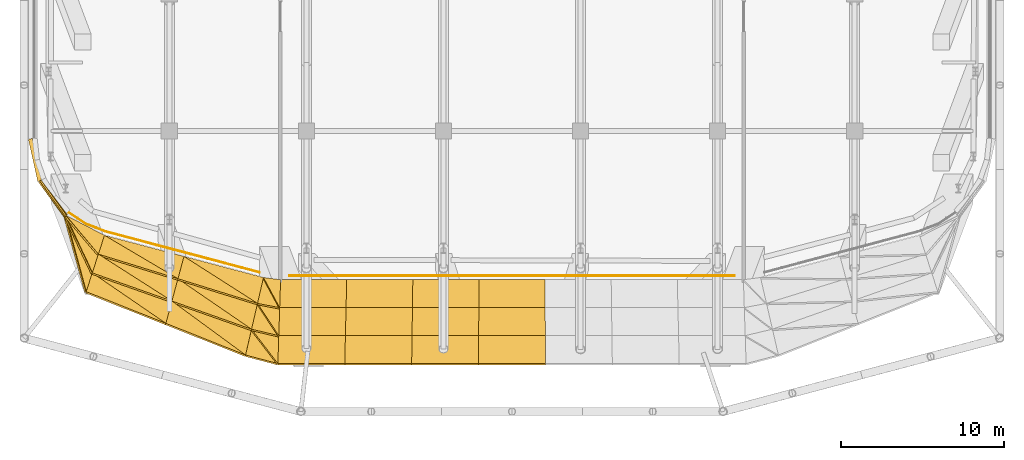
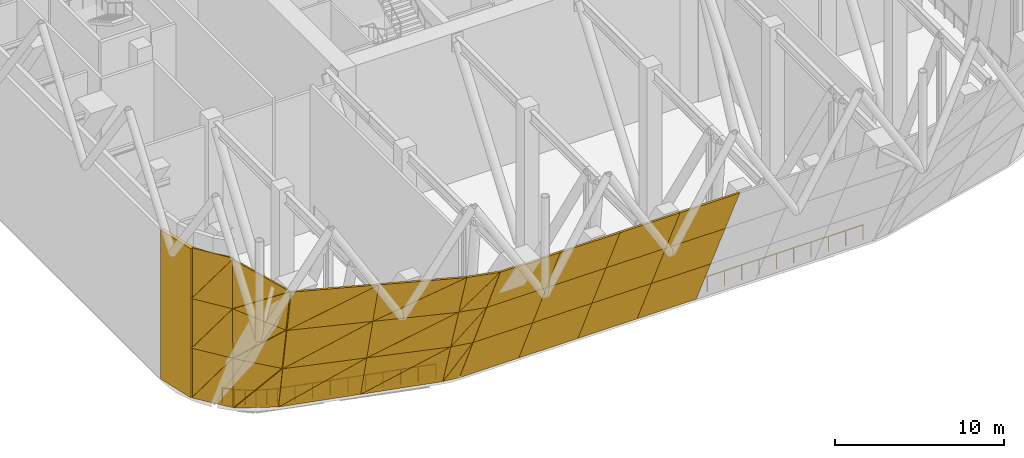
# One storey, part 14 of 19: 43 shading devices, 2 railings.
"""IFC4 building model written with IfcOpenShell, lengths in metres."""

from ifc_helpers import new_model, si_unit, direction, frame, frame_2d, origin, origin_2d, place, context, subcontext, project, spatial, polyline, rectangle, circle, outline, extrude, material, layer, layer_set, type_object, element, save


model = new_model("IFC4")

# Units and contexts
model_context = context("Model", 3, precision=1e-05, world=origin(), true_north=direction((0.0, 1.0)))
body_context = subcontext(model_context, "Body", "Model", "MODEL_VIEW")
ifc_project = project(units=[si_unit("LENGTHUNIT", "METRE"), si_unit("AREAUNIT", "SQUARE_METRE"), si_unit("VOLUMEUNIT", "CUBIC_METRE"), si_unit("PLANEANGLEUNIT", "RADIAN"), si_unit("MASSUNIT", "GRAM", prefix="KILO")], contexts=[model_context])

# Site, building, storey
site_placement = place(None, origin())
site = spatial("IfcSite", under=ifc_project, at=site_placement, CompositionType="ELEMENT")
building_placement = place(site_placement, origin())
building = spatial("IfcBuilding", under=site, at=building_placement, Name="Marenta Gate Hotel Tower", CompositionType="ELEMENT")
storey_placement = place(building_placement, frame((0.0, 0.0, 86.89990234375)))
storey = spatial("IfcBuildingStorey", under=building, at=storey_placement, Name="L20", CompositionType="ELEMENT", Elevation=86.89990234375)

# Railings
ifc_material_1 = material(Name="Stainless steel", Category="steel")
railing_type = type_object("IfcRailingType", Name="Guard 1100 stainless balustrade", PredefinedType="GUARDRAIL", material=ifc_material_1)
railing_1_placement = place(storey_placement, frame((-15.486328125, -17.067138671875, 0.0)))
element("IfcRailing", 1, at=railing_1_placement, inside=storey, type_object=railing_type, Name="Guard", PredefinedType="GUARDRAIL", context=body_context, shape_type="SweptSolid", body=[
    extrude(circle(Radius=0.02392578125, at=origin_2d()), frame((0.0, 0.0, 1.076171875), z_axis=(-0.96656485404, 0.256422274645, 0.0), x_axis=(-0.256422274645, -0.96656485404, 0.0)), (0.0, 0.0, 1.0), 9.740966796875),
    extrude(circle(Radius=0.02392578125, at=origin_2d()), frame((-9.415283203125, 2.497802734375, 1.076171875), z_axis=(-0.932788004405, 0.360425496931, 0.0), x_axis=(-0.360425496931, -0.932788004405, 0.0)), (0.0, 0.0, 1.0), 1.2890625),
    extrude(circle(Radius=0.02392578125, at=origin_2d()), frame((-10.61767578125, 2.96240234375, 1.076171875), z_axis=(-0.83257703296, 0.553909274329, 0.0), x_axis=(-0.553909274329, -0.83257703296, 0.0)), (0.0, 0.0, 1.0), 1.28271484375),
    extrude(circle(Radius=0.02392578125, at=origin_2d()), frame((-11.685546875, 3.6728515625, 1.076171875), z_axis=(-0.69247763599, 0.721439341631, 0.0), x_axis=(-0.721439341631, -0.69247763599, 0.0)), (0.0, 0.0, 1.0), 0.750244140625),
    extrude(circle(Radius=0.02099609375, at=origin_2d()), origin(), (0.0, 0.0, 1.0), 1.052001953125),
    extrude(circle(Radius=0.02099609375, at=origin_2d()), frame((-1.046142578125, 0.277587890625, 0.0)), (0.0, 0.0, 1.0), 1.052001953125),
    extrude(circle(Radius=0.02099609375, at=origin_2d()), frame((-2.09228515625, 0.55517578125, 0.0)), (0.0, 0.0, 1.0), 1.052001953125),
    extrude(circle(Radius=0.02099609375, at=origin_2d()), frame((-3.138427734375, 0.83251953125, 0.0)), (0.0, 0.0, 1.0), 1.052001953125),
    extrude(circle(Radius=0.02099609375, at=origin_2d()), frame((-4.1845703125, 1.110107421875, 0.0)), (0.0, 0.0, 1.0), 1.052001953125),
    extrude(circle(Radius=0.02099609375, at=origin_2d()), frame((-5.230712890625, 1.3876953125, 0.0)), (0.0, 0.0, 1.0), 1.052001953125),
    extrude(circle(Radius=0.02099609375, at=origin_2d()), frame((-6.27685546875, 1.665283203125, 0.0)), (0.0, 0.0, 1.0), 1.052001953125),
    extrude(circle(Radius=0.02099609375, at=origin_2d()), frame((-7.322998046875, 1.942626953125, 0.0)), (0.0, 0.0, 1.0), 1.052001953125),
    extrude(circle(Radius=0.02099609375, at=origin_2d()), frame((-8.369140625, 2.22021484375, 0.0)), (0.0, 0.0, 1.0), 1.052001953125),
    extrude(circle(Radius=0.02099609375, at=origin_2d()), frame((-9.415283203125, 2.497802734375, 0.0)), (0.0, 0.0, 1.0), 1.052001953125),
    extrude(circle(Radius=0.02099609375, at=origin_2d()), frame((-10.0166015625, 2.72998046875, 0.0)), (0.0, 0.0, 1.0), 1.052001953125),
    extrude(circle(Radius=0.02099609375, at=origin_2d()), frame((-10.61767578125, 2.96240234375, 0.0)), (0.0, 0.0, 1.0), 1.052001953125),
    extrude(circle(Radius=0.02099609375, at=origin_2d()), frame((-11.151611328125, 3.317626953125, 0.0)), (0.0, 0.0, 1.0), 1.052001953125),
    extrude(circle(Radius=0.02099609375, at=origin_2d()), frame((-11.685546875, 3.6728515625, 0.0)), (0.0, 0.0, 1.0), 1.052001953125),
    extrude(circle(Radius=0.02099609375, at=origin_2d()), frame((-12.205078125, 4.214111328125, 0.0)), (0.0, 0.0, 1.0), 1.052001953125),
])
railing_2_placement = place(storey_placement, frame((13.646240234375, -17.280029296875, 0.0)))
element("IfcRailing", 2, at=railing_2_placement, inside=storey, type_object=railing_type, Name="Guard", PredefinedType="GUARDRAIL", context=body_context, shape_type="SweptSolid", body=[
    extrude(circle(Radius=0.02392578125, at=origin_2d()), frame((0.0, 0.0, 1.076171875), z_axis=(-1.0, 0.0, 0.0), x_axis=(0.0, -1.0, 0.0)), (0.0, 0.0, 1.0), 27.29248046875),
    extrude(circle(Radius=0.02099609375, at=origin_2d()), origin(), (0.0, 0.0, 1.0), 1.052001953125),
    extrude(circle(Radius=0.02099609375, at=origin_2d()), frame((-1.1865234375, 0.0, 0.0)), (0.0, 0.0, 1.0), 1.052001953125),
    extrude(circle(Radius=0.02099609375, at=origin_2d()), frame((-2.373291015625, 0.0, 0.0)), (0.0, 0.0, 1.0), 1.052001953125),
    extrude(circle(Radius=0.02099609375, at=origin_2d()), frame((-3.559814453125, 0.0, 0.0)), (0.0, 0.0, 1.0), 1.052001953125),
    extrude(circle(Radius=0.02099609375, at=origin_2d()), frame((-4.74658203125, 0.0, 0.0)), (0.0, 0.0, 1.0), 1.052001953125),
    extrude(circle(Radius=0.02099609375, at=origin_2d()), frame((-5.93310546875, 0.0, 0.0)), (0.0, 0.0, 1.0), 1.052001953125),
    extrude(circle(Radius=0.02099609375, at=origin_2d()), frame((-7.119873046875, 0.0, 0.0)), (0.0, 0.0, 1.0), 1.052001953125),
    extrude(circle(Radius=0.02099609375, at=origin_2d()), frame((-8.306396484375, 0.0, 0.0)), (0.0, 0.0, 1.0), 1.052001953125),
    extrude(circle(Radius=0.02099609375, at=origin_2d()), frame((-9.492919921875, 0.0, 0.0)), (0.0, 0.0, 1.0), 1.052001953125),
    extrude(circle(Radius=0.02099609375, at=origin_2d()), frame((-10.6796875, 0.0, 0.0)), (0.0, 0.0, 1.0), 1.052001953125),
    extrude(circle(Radius=0.02099609375, at=origin_2d()), frame((-11.8662109375, 0.0, 0.0)), (0.0, 0.0, 1.0), 1.052001953125),
    extrude(circle(Radius=0.02099609375, at=origin_2d()), frame((-13.052978515625, 0.0, 0.0)), (0.0, 0.0, 1.0), 1.052001953125),
    extrude(circle(Radius=0.02099609375, at=origin_2d()), frame((-14.239501953125, 0.0, 0.0)), (0.0, 0.0, 1.0), 1.052001953125),
    extrude(circle(Radius=0.02099609375, at=origin_2d()), frame((-15.42626953125, 0.0, 0.0)), (0.0, 0.0, 1.0), 1.052001953125),
    extrude(circle(Radius=0.02099609375, at=origin_2d()), frame((-16.61279296875, 0.0, 0.0)), (0.0, 0.0, 1.0), 1.052001953125),
    extrude(circle(Radius=0.02099609375, at=origin_2d()), frame((-17.799560546875, 0.0, 0.0)), (0.0, 0.0, 1.0), 1.052001953125),
    extrude(circle(Radius=0.02099609375, at=origin_2d()), frame((-18.986083984375, 0.0, 0.0)), (0.0, 0.0, 1.0), 1.052001953125),
    extrude(circle(Radius=0.02099609375, at=origin_2d()), frame((-20.172607421875, 0.0, 0.0)), (0.0, 0.0, 1.0), 1.052001953125),
    extrude(circle(Radius=0.02099609375, at=origin_2d()), frame((-21.359375, 0.0, 0.0)), (0.0, 0.0, 1.0), 1.052001953125),
    extrude(circle(Radius=0.02099609375, at=origin_2d()), frame((-22.5458984375, 0.0, 0.0)), (0.0, 0.0, 1.0), 1.052001953125),
    extrude(circle(Radius=0.02099609375, at=origin_2d()), frame((-23.732666015625, 0.0, 0.0)), (0.0, 0.0, 1.0), 1.052001953125),
    extrude(circle(Radius=0.02099609375, at=origin_2d()), frame((-24.919189453125, 0.0, 0.0)), (0.0, 0.0, 1.0), 1.052001953125),
    extrude(circle(Radius=0.02099609375, at=origin_2d()), frame((-26.10595703125, 0.0, 0.0)), (0.0, 0.0, 1.0), 1.052001953125),
    extrude(circle(Radius=0.02099609375, at=origin_2d()), frame((-27.29248046875, 0.0, 0.0)), (0.0, 0.0, 1.0), 1.052001953125),
])

# Shading devices
ifc_material_2 = material(Name="Bronze anodised aluminium louvre", Category="aluminium")
ifc_layer_1 = layer(ifc_material_2, 0.10009765625)
ifc_layer_set_1 = layer_set([ifc_layer_1], Name="Bronze anodised aluminium louvre")
shading_device_type_1 = type_object("IfcShadingDeviceType", Name="Louvre blade 100 mm inclined", PredefinedType="JALOUSIE", material=ifc_layer_set_1)
shading_device_1_placement = place(storey_placement, frame((-15.231201171875, -17.383056640625, 0.0), z_axis=(0.117024332941, 0.89614355493, 0.428056111342), x_axis=(0.991581094055, -0.129487195942, 0.0)))
element("IfcShadingDevice", 3, at=shading_device_1_placement, inside=storey, type_object=shading_device_type_1, Name="Louvre blade", PredefinedType="JALOUSIE", context=body_context, shape_type="SweptSolid", body=[
    extrude(outline(polyline([(0.0, 0.0), (1.0577330803181733, -6.938893903907228e-18), (1.224513911368817, -3.9835010284361574), (0.0, 0.0)])), origin(), (0.0, 0.0, -1.0), 0.10009765625),
])
shading_device_2_placement = place(storey_placement, frame((-15.231201171875, -17.383056640625, 0.0), z_axis=(0.174674643038, 0.894584855376, 0.411347426892), x_axis=(0.238372638121, -0.443763267084, 0.863859159923)))
element("IfcShadingDevice", 4, at=shading_device_2_placement, inside=storey, type_object=shading_device_type_1, Name="Louvre blade", PredefinedType="JALOUSIE", context=body_context, shape_type="SweptSolid", body=[
    extrude(outline(polyline([(0.0, 0.0), (4.167459029515189, -2.220446049250313e-16), (3.725713143837147, -1.3124497193853035), (0.0, 0.0)])), origin(), (0.0, 0.0, -1.0), 0.10009765625),
])
shading_device_3_placement = place(storey_placement, frame((-15.596923828125, -18.967041015625, 3.60009765625), z_axis=(0.173455323509, 0.888340189487, 0.425164625162), x_axis=(0.981465527721, -0.191638769289, 0.0)))
element("IfcShadingDevice", 5, at=shading_device_3_placement, inside=storey, type_object=shading_device_type_1, Name="Louvre blade", PredefinedType="JALOUSIE", context=body_context, shape_type="SweptSolid", body=[
    extrude(outline(polyline([(0.0, 0.0), (1.3847973474223727, -1.3877787807814457e-17), (1.6582808798210147, -3.977498471706273), (0.0, 0.0)])), origin(), (0.0, 0.0, -1.0), 0.10009765625),
])
shading_device_4_placement = place(storey_placement, frame((-15.596923828125, -18.967041015625, 3.60009765625), z_axis=(0.209149265311, 0.887067944747, 0.411542277564), x_axis=(0.302474986257, -0.458896308051, 0.835417896113)))
element("IfcShadingDevice", 6, at=shading_device_4_placement, inside=storey, type_object=shading_device_type_1, Name="Louvre blade", PredefinedType="JALOUSIE", context=body_context, shape_type="SweptSolid", body=[
    extrude(outline(polyline([(0.0, 0.0), (4.309337486065079, 0.0), (3.623848636060678, -1.5719999233449735), (0.0, 0.0)])), origin(), (0.0, 0.0, -1.0), 0.10009765625),
])
shading_device_5_placement = place(storey_placement, frame((-15.962646484375, -20.551025390625, 7.2001953125), z_axis=(0.207964294373, 0.88204210957, 0.422791401535), x_axis=(0.973312514298, -0.229483658483, 0.0)))
element("IfcShadingDevice", 7, at=shading_device_5_placement, inside=storey, type_object=shading_device_type_1, Name="Louvre blade", PredefinedType="JALOUSIE", context=body_context, shape_type="SweptSolid", body=[
    extrude(outline(polyline([(0.0, 0.0), (1.7149573529615714, 0.0), (2.053747178972322, -3.972352837108478), (0.0, 0.0)])), origin(), (0.0, 0.0, -1.0), 0.10009765625),
])
shading_device_6_placement = place(storey_placement, frame((-15.962646484375, -20.551025390625, 7.2001953125), z_axis=(0.23242404366, 0.881319795112, 0.411405496649), x_axis=(0.36081811743, -0.470936159926, 0.80500274497)))
element("IfcShadingDevice", 8, at=shading_device_6_placement, inside=storey, type_object=shading_device_type_1, Name="Louvre blade", PredefinedType="JALOUSIE", context=body_context, shape_type="SweptSolid", body=[
    extrude(outline(polyline([(0.0, 0.0), (4.471852472703068, -2.220446049250313e-16), (3.511888120182103, -1.8078569431291258), (0.0, 0.0)])), origin(), (0.0, 0.0, -1.0), 0.10009765625),
])
shading_device_7_placement = place(storey_placement, frame((-14.182373046875, -17.52001953125, 0.0), z_axis=(0.0, 0.903048341594, 0.429538930418), x_axis=(1.0, 0.0, 0.0)))
element("IfcShadingDevice", 9, at=shading_device_7_placement, inside=storey, type_object=shading_device_type_1, Name="Louvre blade", PredefinedType="JALOUSIE", context=body_context, shape_type="SweptSolid", body=[
    extrude(outline(polyline([(0.0, 0.0), (4.05224609375, 0.0), (4.012451171875, -3.9866056892320354), (-0.055419921875, -3.9866056892320354), (0.0, 0.0)])), origin(), (0.0, 0.0, -1.0), 0.10009765625),
])
shading_device_8_placement = place(storey_placement, frame((-14.23779296875, -19.232421875, 3.60009765625), z_axis=(0.0, 0.903072095579, 0.429488987271), x_axis=(1.0, 0.0, 0.0)))
element("IfcShadingDevice", 10, at=shading_device_8_placement, inside=storey, type_object=shading_device_type_1, Name="Louvre blade", PredefinedType="JALOUSIE", context=body_context, shape_type="SweptSolid", body=[
    extrude(outline(polyline([(0.0, 0.0), (4.06787109375, 0.0), (4.028076171875, -3.9865008274255973), (-0.0556640625, -3.9865008274255973), (0.0, 0.0)])), origin(), (0.0, 0.0, -1.0), 0.10009765625),
])
shading_device_9_placement = place(storey_placement, frame((-14.29345703125, -20.944580078125, 7.2001953125), z_axis=(0.0, 0.903037041609, 0.429562686324), x_axis=(1.0, 0.0, 0.0)))
element("IfcShadingDevice", 11, at=shading_device_9_placement, inside=storey, type_object=shading_device_type_1, Name="Louvre blade", PredefinedType="JALOUSIE", context=body_context, shape_type="SweptSolid", body=[
    extrude(outline(polyline([(0.0, 0.0), (4.083740234375, 0.0), (4.044189453125, -3.986385219824868), (-0.0556640625, -3.986385219824868), (0.0, 0.0)])), origin(), (0.0, 0.0, -1.0), 0.10009765625),
])
shading_device_10_placement = place(storey_placement, frame((-10.130126953125, -17.52001953125, 0.0), z_axis=(0.0, 0.903048341594, 0.429538930418), x_axis=(1.0, 0.0, 0.0)))
element("IfcShadingDevice", 12, at=shading_device_10_placement, inside=storey, type_object=shading_device_type_1, Name="Louvre blade", PredefinedType="JALOUSIE", context=body_context, shape_type="SweptSolid", body=[
    extrude(outline(polyline([(0.0, 0.0), (4.052001953125, 0.0), (4.0283203125, -3.9866056892320354), (-0.039794921875, -3.9866056892320354), (0.0, 0.0)])), origin(), (0.0, 0.0, -1.0), 0.10009765625),
])
shading_device_11_placement = place(storey_placement, frame((-10.169921875, -19.232421875, 3.60009765625), z_axis=(0.0, 0.903072095579, 0.429488987271), x_axis=(1.0, 0.0, 0.0)))
element("IfcShadingDevice", 13, at=shading_device_11_placement, inside=storey, type_object=shading_device_type_1, Name="Louvre blade", PredefinedType="JALOUSIE", context=body_context, shape_type="SweptSolid", body=[
    extrude(outline(polyline([(0.0, 0.0), (4.068115234375, 0.0), (4.044189453125, -3.9865008274255977), (-0.039794921875, -3.9865008274255977), (0.0, 0.0)])), origin(), (0.0, 0.0, -1.0), 0.10009765625),
])
shading_device_12_placement = place(storey_placement, frame((-10.209716796875, -20.944580078125, 7.2001953125), z_axis=(0.0, 0.903037041609, 0.429562686324), x_axis=(1.0, 0.0, 0.0)))
element("IfcShadingDevice", 14, at=shading_device_12_placement, inside=storey, type_object=shading_device_type_1, Name="Louvre blade", PredefinedType="JALOUSIE", context=body_context, shape_type="SweptSolid", body=[
    extrude(outline(polyline([(0.0, 0.0), (4.083984375, 0.0), (4.06005859375, -3.986385219824868), (-0.03955078125, -3.986385219824868), (0.0, 0.0)])), origin(), (0.0, 0.0, -1.0), 0.10009765625),
])
shading_device_13_placement = place(storey_placement, frame((-6.078125, -17.52001953125, 0.0), z_axis=(0.0, 0.903048341594, 0.429538930418), x_axis=(1.0, 0.0, 0.0)))
element("IfcShadingDevice", 15, at=shading_device_13_placement, inside=storey, type_object=shading_device_type_1, Name="Louvre blade", PredefinedType="JALOUSIE", context=body_context, shape_type="SweptSolid", body=[
    extrude(outline(polyline([(0.0, 0.0), (4.05224609375, 0.0), (4.044189453125, -3.9866056892320354), (-0.023681640625, -3.9866056892320354), (0.0, 0.0)])), origin(), (0.0, 0.0, -1.0), 0.10009765625),
])
shading_device_14_placement = place(storey_placement, frame((-6.101806640625, -19.232421875, 3.60009765625), z_axis=(0.0, 0.903072095579, 0.429488987271), x_axis=(1.0, 0.0, 0.0)))
element("IfcShadingDevice", 16, at=shading_device_14_placement, inside=storey, type_object=shading_device_type_1, Name="Louvre blade", PredefinedType="JALOUSIE", context=body_context, shape_type="SweptSolid", body=[
    extrude(outline(polyline([(0.0, 0.0), (4.06787109375, 0.0), (4.059814453125, -3.9865008274255973), (-0.02392578125, -3.9865008274255973), (0.0, 0.0)])), origin(), (0.0, 0.0, -1.0), 0.10009765625),
])
shading_device_15_placement = place(storey_placement, frame((-6.125732421875, -20.944580078125, 7.2001953125), z_axis=(0.0, 0.903037041609, 0.429562686324), x_axis=(1.0, 0.0, 0.0)))
element("IfcShadingDevice", 17, at=shading_device_15_placement, inside=storey, type_object=shading_device_type_1, Name="Louvre blade", PredefinedType="JALOUSIE", context=body_context, shape_type="SweptSolid", body=[
    extrude(outline(polyline([(0.0, 0.0), (4.083740234375, 0.0), (4.075927734375, -3.986385219824868), (-0.02392578125, -3.986385219824868), (0.0, 0.0)])), origin(), (0.0, 0.0, -1.0), 0.10009765625),
])
shading_device_16_placement = place(storey_placement, frame((-2.02587890625, -17.52001953125, 0.0), z_axis=(0.0, 0.903048341594, 0.429538930418), x_axis=(1.0, 0.0, 0.0)))
element("IfcShadingDevice", 18, at=shading_device_16_placement, inside=storey, type_object=shading_device_type_1, Name="Louvre blade", PredefinedType="JALOUSIE", context=body_context, shape_type="SweptSolid", body=[
    extrude(outline(polyline([(0.0, 0.0), (4.0517578125, 0.0), (4.059814453125, -3.9866056892320367), (-0.008056640625, -3.9866056892320367), (0.0, 0.0)])), origin(), (0.0, 0.0, -1.0), 0.10009765625),
])
shading_device_17_placement = place(storey_placement, frame((-2.033935546875, -19.232421875, 3.60009765625), z_axis=(0.0, 0.903072095579, 0.429488987271), x_axis=(1.0, 0.0, 0.0)))
element("IfcShadingDevice", 19, at=shading_device_17_placement, inside=storey, type_object=shading_device_type_1, Name="Louvre blade", PredefinedType="JALOUSIE", context=body_context, shape_type="SweptSolid", body=[
    extrude(outline(polyline([(0.0, 0.0), (4.06787109375, 0.0), (4.075927734375, -3.9865008274255973), (-0.008056640625, -3.9865008274255973), (0.0, 0.0)])), origin(), (0.0, 0.0, -1.0), 0.10009765625),
])
shading_device_18_placement = place(storey_placement, frame((-2.0419921875, -20.944580078125, 7.2001953125), z_axis=(0.0, 0.903037041609, 0.429562686324), x_axis=(1.0, 0.0, 0.0)))
element("IfcShadingDevice", 20, at=shading_device_18_placement, inside=storey, type_object=shading_device_type_1, Name="Louvre blade", PredefinedType="JALOUSIE", context=body_context, shape_type="SweptSolid", body=[
    extrude(outline(polyline([(0.0, 0.0), (4.083984375, 0.0), (4.091796875, -3.986385219824868), (-0.0078125, -3.986385219824868), (0.0, 0.0)])), origin(), (0.0, 0.0, -1.0), 0.10009765625),
])
shading_device_19_placement = place(storey_placement, frame((-28.944580078125, -11.47509765625, 0.0), z_axis=(0.792614272437, 0.609682062193, 0.007099166818), x_axis=(0.609697426204, -0.792634246346, 0.0)))
element("IfcShadingDevice", 21, at=shading_device_19_placement, inside=storey, type_object=shading_device_type_1, Name="Louvre blade", PredefinedType="JALOUSIE", context=body_context, shape_type="SweptSolid", body=[
    extrude(outline(polyline([(0.0, 0.0), (2.654444866531899, 0.0), (2.6600422507585293, -3.600188378845169), (0.0, 0.0)])), origin(), (0.0, 0.0, -1.0), 0.10009765625),
])
shading_device_20_placement = place(storey_placement, frame((-28.944580078125, -11.47509765625, 0.0), z_axis=(-0.798455513437, -0.602053812431, 0.0), x_axis=(0.357787842459, -0.474505217895, 0.804259073918)))
element("IfcShadingDevice", 22, at=shading_device_20_placement, inside=storey, type_object=shading_device_type_1, Name="Louvre blade", PredefinedType="JALOUSIE", context=body_context, shape_type="SweptSolid", body=[
    extrude(outline(polyline([(0.0, 0.0), (4.4762910024921645, 0.0), (2.8954112070285203, 2.1394618661594307), (0.0, 0.0)])), origin(), (0.0, 0.0, -1.0), 0.10009765625),
])
shading_device_21_placement = place(storey_placement, frame((-28.944580078125, -11.47509765625, 3.60009765625), z_axis=(0.798434938498, 0.602038298453, 0.007178870505), x_axis=(0.602053812431, -0.798455513437, 0.0)))
element("IfcShadingDevice", 23, at=shading_device_21_placement, inside=storey, type_object=shading_device_type_1, Name="Louvre blade", PredefinedType="JALOUSIE", context=body_context, shape_type="SweptSolid", body=[
    extrude(outline(polyline([(0.0, 0.0), (2.66016503331195, 0.0), (2.6660556682594896, -3.6001904274793466), (0.0, 0.0)])), origin(), (0.0, 0.0, -1.0), 0.10009765625),
])
shading_device_22_placement = place(storey_placement, frame((-28.944580078125, -11.47509765625, 3.60009765625), z_axis=(-0.804254158843, -0.594285493668, 0.0), x_axis=(0.353687294808, -0.478649539338, 0.80361677184)))
element("IfcShadingDevice", 24, at=shading_device_22_placement, inside=storey, type_object=shading_device_type_1, Name="Louvre blade", PredefinedType="JALOUSIE", context=body_context, shape_type="SweptSolid", body=[
    extrude(outline(polyline([(0.0, 0.0), (4.479868741422283, 0.0), (2.893098856825421, 2.1425877202980947), (0.0, 0.0)])), origin(), (0.0, 0.0, -1.0), 0.10009765625),
])
shading_device_23_placement = place(storey_placement, frame((-28.944580078125, -11.47509765625, 7.2001953125), z_axis=(0.804233838115, 0.594270478124, 0.007108618821), x_axis=(0.594285493668, -0.804254158843, 0.0)))
element("IfcShadingDevice", 25, at=shading_device_23_placement, inside=storey, type_object=shading_device_type_1, Name="Louvre blade", PredefinedType="JALOUSIE", context=body_context, shape_type="SweptSolid", body=[
    extrude(outline(polyline([(0.0, 0.0), (2.6661809401906176, -3.469446951953614e-18), (2.6724669255716775, -3.5999444738019357), (0.0, 0.0)])), origin(), (0.0, 0.0, -1.0), 0.10009765625),
])
shading_device_24_placement = place(storey_placement, frame((-28.944580078125, -11.47509765625, 7.2001953125), z_axis=(-0.809907703632, -0.586557338712, 0.0), x_axis=(0.349644376613, -0.482782595087, 0.802913305273)))
element("IfcShadingDevice", 26, at=shading_device_24_placement, inside=storey, type_object=shading_device_type_1, Name="Louvre blade", PredefinedType="JALOUSIE", context=body_context, shape_type="SweptSolid", body=[
    extrude(outline(polyline([(0.0, 0.0), (4.483489676884696, 4.440892098500626e-16), (2.8903702847292063, 2.145857626011587), (0.0, 0.0)])), origin(), (0.0, 0.0, -1.0), 0.10009765625),
])
shading_device_25_placement = place(storey_placement, frame((-27.326171875, -13.5791015625, 0.0), z_axis=(0.436833048561, 0.842682546893, 0.314742772508), x_axis=(0.887803373131, -0.460222957551, 0.0)))
element("IfcShadingDevice", 27, at=shading_device_25_placement, inside=storey, type_object=shading_device_type_1, Name="Louvre blade", PredefinedType="JALOUSIE", context=body_context, shape_type="SweptSolid", body=[
    extrude(outline(polyline([(0.0, 0.0), (2.647642494541882, 5.551115123125783e-17), (2.845460867986718, -3.792862276076993), (0.0, 0.0)])), origin(), (0.0, 0.0, -1.0), 0.10009765625),
])
shading_device_26_placement = place(storey_placement, frame((-27.326171875, -13.5791015625, 0.0), z_axis=(0.762449286239, 0.647008300055, 0.007165582623), x_axis=(0.416910041859, -0.499705070549, 0.759263366339)))
element("IfcShadingDevice", 28, at=shading_device_26_placement, inside=storey, type_object=shading_device_type_1, Name="Louvre blade", PredefinedType="JALOUSIE", context=body_context, shape_type="SweptSolid", body=[
    extrude(outline(polyline([(0.0, 0.0), (4.741566386388751, -4.440892098500626e-16), (2.7364029841146613, -2.339548332993009), (0.0, 0.0)])), origin(), (0.0, 0.0, -1.0), 0.10009765625),
])
shading_device_27_placement = place(storey_placement, frame((-27.343017578125, -13.59912109375, 3.60009765625), z_axis=(0.733085958982, 0.622090817941, 0.274932702632), x_axis=(0.647024911201, -0.762468861191, 0.0)))
element("IfcShadingDevice", 29, at=shading_device_27_placement, inside=storey, type_object=shading_device_type_1, Name="Louvre blade", PredefinedType="JALOUSIE", context=body_context, shape_type="SweptSolid", body=[
    extrude(outline(polyline([(0.0, 0.0), (3.0812605654552763, 5.551115123125783e-17), (3.7170833431692945, -3.7443935823685366), (0.0, 0.0)])), origin(), (0.0, 0.0, -1.0), 0.10009765625),
])
shading_device_28_placement = place(storey_placement, frame((-27.343017578125, -13.59912109375, 3.60009765625), z_axis=(0.904841599754, 0.425695788407, 0.006691418854), x_axis=(0.307067404334, -0.663415517771, 0.682341160986)))
element("IfcShadingDevice", 30, at=shading_device_28_placement, inside=storey, type_object=shading_device_type_1, Name="Louvre blade", PredefinedType="JALOUSIE", context=body_context, shape_type="SweptSolid", body=[
    extrude(outline(polyline([(0.0, 0.0), (5.276096272790074, -4.440892098500626e-16), (2.464690314837078, -2.6242536968902823), (0.0, 0.0)])), origin(), (0.0, 0.0, -1.0), 0.10009765625),
])
shading_device_29_placement = place(storey_placement, frame((-27.360107421875, -13.619384765625, 7.2001953125), z_axis=(0.881827777259, 0.414868603501, 0.224195925662), x_axis=(0.42570531901, -0.904861857615, 0.0)))
element("IfcShadingDevice", 31, at=shading_device_29_placement, inside=storey, type_object=shading_device_type_1, Name="Louvre blade", PredefinedType="JALOUSIE", context=body_context, shape_type="SweptSolid", body=[
    extrude(outline(polyline([(0.0, 0.0), (3.845869332940981, 0.0), (4.728135923124949, -3.6938847054864064), (0.0, 0.0)])), origin(), (0.0, 0.0, -1.0), 0.10009765625),
])
shading_device_30_placement = place(storey_placement, frame((-27.360107421875, -13.619384765625, 7.2001953125), z_axis=(0.963524597364, 0.267552183668, 0.006014922242), x_axis=(0.210571132523, -0.771809322069, 0.599975139915)))
element("IfcShadingDevice", 32, at=shading_device_30_placement, inside=storey, type_object=shading_device_type_1, Name="Louvre blade", PredefinedType="JALOUSIE", context=body_context, shape_type="SweptSolid", body=[
    extrude(outline(polyline([(0.0, 0.0), (6.000004460412594, 0.0), (2.1719150887768928, -2.8709623082187212), (0.0, 0.0)])), origin(), (0.0, 0.0, -1.0), 0.10009765625),
])
shading_device_31_placement = place(storey_placement, frame((-24.9755859375, -14.797607421875, 0.0), z_axis=(0.238651227646, 0.899437941246, 0.366137926731), x_axis=(0.966554942583, -0.25645963224, 0.0)))
element("IfcShadingDevice", 33, at=shading_device_31_placement, inside=storey, type_object=shading_device_type_1, Name="Louvre blade", PredefinedType="JALOUSIE", context=body_context, shape_type="SweptSolid", body=[
    extrude(outline(polyline([(0.0, 0.0), (5.040655319065925, -1.1102230246251565e-16), (5.034079688476161, -3.8687407144621417), (0.0, 0.0)])), origin(), (0.0, 0.0, -1.0), 0.10009765625),
])
shading_device_32_placement = place(storey_placement, frame((-24.9755859375, -14.797607421875, 0.0), z_axis=(0.280273062458, 0.905515023695, 0.31857424931), x_axis=(0.70916362084, -0.41899180201, 0.567038648352)))
element("IfcShadingDevice", 34, at=shading_device_32_placement, inside=storey, type_object=shading_device_type_1, Name="Louvre blade", PredefinedType="JALOUSIE", context=body_context, shape_type="SweptSolid", body=[
    extrude(outline(polyline([(0.0, 0.0), (6.348945820029124, 0.0), (2.258532656193947, -3.053517086093645), (0.0, 0.0)])), origin(), (0.0, 0.0, -1.0), 0.10009765625),
])
shading_device_33_placement = place(storey_placement, frame((-25.349365234375, -15.948486328125, 3.60009765625), z_axis=(0.27517050857, 0.889029532135, 0.365933986129), x_axis=(0.955287498997, -0.295678531958, 0.0)))
element("IfcShadingDevice", 35, at=shading_device_33_placement, inside=storey, type_object=shading_device_type_1, Name="Louvre blade", PredefinedType="JALOUSIE", context=body_context, shape_type="SweptSolid", body=[
    extrude(outline(polyline([(0.0, 0.0), (5.1044535893611505, 0.0), (5.155671896005647, -3.868407248431732), (0.0, 0.0)])), origin(), (0.0, 0.0, -1.0), 0.10009765625),
])
shading_device_34_placement = place(storey_placement, frame((-25.349365234375, -15.948486328125, 3.60009765625), z_axis=(0.316048168359, 0.893688900457, 0.318486584453), x_axis=(0.699175310434, -0.44630709588, 0.55853725162)))
element("IfcShadingDevice", 36, at=shading_device_34_placement, inside=storey, type_object=shading_device_type_1, Name="Louvre blade", PredefinedType="JALOUSIE", context=body_context, shape_type="SweptSolid", body=[
    extrude(outline(polyline([(0.0, 0.0), (6.445582001571435, 0.0), (2.26326751401449, -3.0499793547414917), (0.0, 0.0)])), origin(), (0.0, 0.0, -1.0), 0.10009765625),
])
shading_device_35_placement = place(storey_placement, frame((-25.722900390625, -17.099365234375, 7.2001953125), z_axis=(0.310381109843, 0.87766416815, 0.365197446046), x_axis=(0.942782042557, -0.33340968827, 0.0)))
element("IfcShadingDevice", 37, at=shading_device_35_placement, inside=storey, type_object=shading_device_type_1, Name="Louvre blade", PredefinedType="JALOUSIE", context=body_context, shape_type="SweptSolid", body=[
    extrude(outline(polyline([(0.0, 0.0), (5.176304525158662, 0.0), (5.2836585881182305, -3.866942930483403), (0.0, 0.0)])), origin(), (0.0, 0.0, -1.0), 0.10009765625),
])
shading_device_36_placement = place(storey_placement, frame((-25.722900390625, -17.099365234375, 7.2001953125), z_axis=(0.350308542999, 0.880989655718, 0.318026966184), x_axis=(0.688884256299, -0.472393756052, 0.549802346909)))
element("IfcShadingDevice", 38, at=shading_device_36_placement, inside=storey, type_object=shading_device_type_1, Name="Louvre blade", PredefinedType="JALOUSIE", context=body_context, shape_type="SweptSolid", body=[
    extrude(outline(polyline([(0.0, 0.0), (6.547541195243532, -4.440892098500626e-16), (2.265385247753833, -3.048148328549735), (0.0, 0.0)])), origin(), (0.0, 0.0, -1.0), 0.10009765625),
])
shading_device_37_placement = place(storey_placement, frame((-20.103515625, -16.09033203125, 0.0), z_axis=(0.233744365612, 0.880988914922, 0.411366142663), x_axis=(0.966558127958, -0.256447626774, 0.0)))
element("IfcShadingDevice", 39, at=shading_device_37_placement, inside=storey, type_object=shading_device_type_1, Name="Louvre blade", PredefinedType="JALOUSIE", context=body_context, shape_type="SweptSolid", body=[
    extrude(outline(polyline([(0.0, 0.0), (5.040891294782552, 0.0), (5.093608122622281, -3.9497700733255297), (0.0, 0.0)])), origin(), (0.0, 0.0, -1.0), 0.10009765625),
])
shading_device_38_placement = place(storey_placement, frame((-20.103515625, -16.09033203125, 0.0), z_axis=(0.27517050857, 0.889029532135, 0.365933986129), x_axis=(0.699175310434, -0.44630709588, 0.55853725162)))
element("IfcShadingDevice", 40, at=shading_device_38_placement, inside=storey, type_object=shading_device_type_1, Name="Louvre blade", PredefinedType="JALOUSIE", context=body_context, shape_type="SweptSolid", body=[
    extrude(outline(polyline([(0.0, 0.0), (6.445582001571435, 4.440892098500626e-16), (2.362647689554559, -3.063510053794046), (0.0, 0.0)])), origin(), (0.0, 0.0, -1.0), 0.10009765625),
])
shading_device_39_placement = place(storey_placement, frame((-20.47314453125, -17.457763671875, 3.60009765625), z_axis=(0.269600490039, 0.871033741112, 0.4106285397), x_axis=(0.955287498997, -0.295678531958, 0.0)))
element("IfcShadingDevice", 41, at=shading_device_39_placement, inside=storey, type_object=shading_device_type_1, Name="Louvre blade", PredefinedType="JALOUSIE", context=body_context, shape_type="SweptSolid", body=[
    extrude(outline(polyline([(0.0, 0.0), (5.1044535893611505, -1.1102230246251565e-16), (5.223433482390091, -3.948329581117851), (0.0, 0.0)])), origin(), (0.0, 0.0, -1.0), 0.10009765625),
])
shading_device_40_placement = place(storey_placement, frame((-20.47314453125, -17.457763671875, 3.60009765625), z_axis=(0.310377170472, 0.877653028798, 0.365227563434), x_axis=(0.688858000013, -0.472413037086, 0.549818677574)))
element("IfcShadingDevice", 42, at=shading_device_40_placement, inside=storey, type_object=shading_device_type_1, Name="Louvre blade", PredefinedType="JALOUSIE", context=body_context, shape_type="SweptSolid", body=[
    extrude(outline(polyline([(0.0, 0.0), (6.547790759186197, -4.440892098500626e-16), (2.3707716377469796, -3.05722746885298), (0.0, 0.0)])), origin(), (0.0, 0.0, -1.0), 0.10009765625),
])
shading_device_41_placement = place(storey_placement, frame((-20.8427734375, -18.8251953125, 7.2001953125), z_axis=(0.304190223115, 0.860158207644, 0.409385107184), x_axis=(0.942782042557, -0.33340968827, 0.0)))
element("IfcShadingDevice", 43, at=shading_device_41_placement, inside=storey, type_object=shading_device_type_1, Name="Louvre blade", PredefinedType="JALOUSIE", context=body_context, shape_type="SweptSolid", body=[
    extrude(outline(polyline([(0.0, 0.0), (5.176304525158662, 0.0), (5.359623508983681, -3.945643045900849), (0.0, 0.0)])), origin(), (0.0, 0.0, -1.0), 0.10009765625),
])
shading_device_42_placement = place(storey_placement, frame((-20.8427734375, -18.8251953125, 7.2001953125), z_axis=(0.344229549214, 0.865440760592, 0.36403064068), x_axis=(0.678312235632, -0.497316477122, 0.540896323314)))
element("IfcShadingDevice", 44, at=shading_device_42_placement, inside=storey, type_object=shading_device_type_1, Name="Louvre blade", PredefinedType="JALOUSIE", context=body_context, shape_type="SweptSolid", body=[
    extrude(outline(polyline([(0.0, 0.0), (6.655348465987057, -8.881784197001252e-16), (2.3763485923827896, -3.0524973202166503), (0.0, 0.0)])), origin(), (0.0, 0.0, -1.0), 0.10009765625),
])
ifc_material_3 = material(Name="Bronze anodised aluminium louvre", Category="aluminium")
ifc_layer_2 = layer(ifc_material_3, 0.25)
ifc_layer_set_2 = layer_set([ifc_layer_2], Name="Bronze anodised aluminium louvre")
shading_device_type_2 = type_object("IfcShadingDeviceType", Name="Louvred plant screen 250 mm", PredefinedType="JALOUSIE", material=ifc_layer_set_2)
shading_device_43_placement = place(storey_placement, frame((-29.519775390625, -8.890869140625, 0.0), z_axis=(0.0, 0.0, 1.0), x_axis=(0.217262425211, -0.976113230415, 0.0)))
element("IfcShadingDevice", 45, at=shading_device_43_placement, inside=storey, type_object=shading_device_type_2, Name="Louvred plant screen", PredefinedType="JALOUSIE", context=body_context, shape_type="SweptSolid", body=[
    extrude(rectangle(XDim=2.6474609375, YDim=0.25, at=frame_2d((1.32373046875, 0.0))), origin(), (0.0, 0.0, 1.0), 10.800048828125),
])

save(model, "model.ifc")
